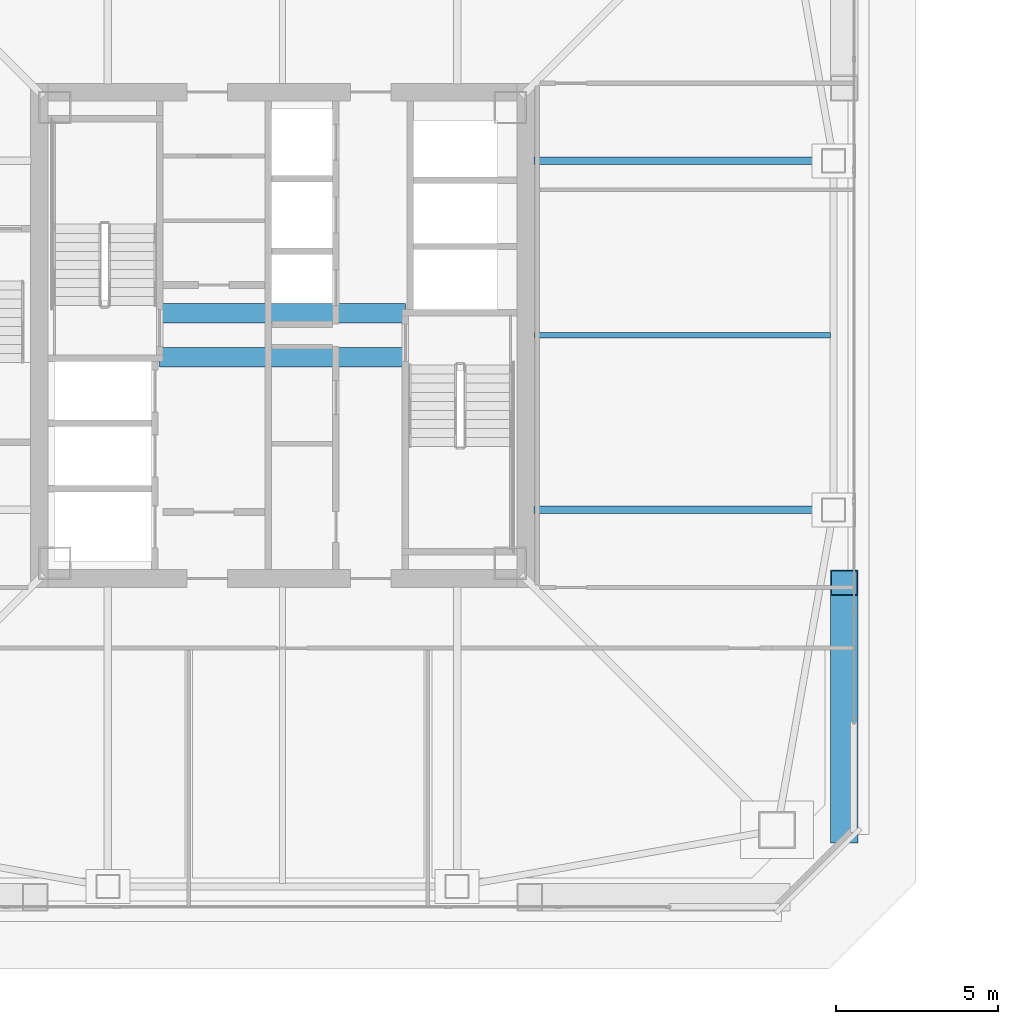
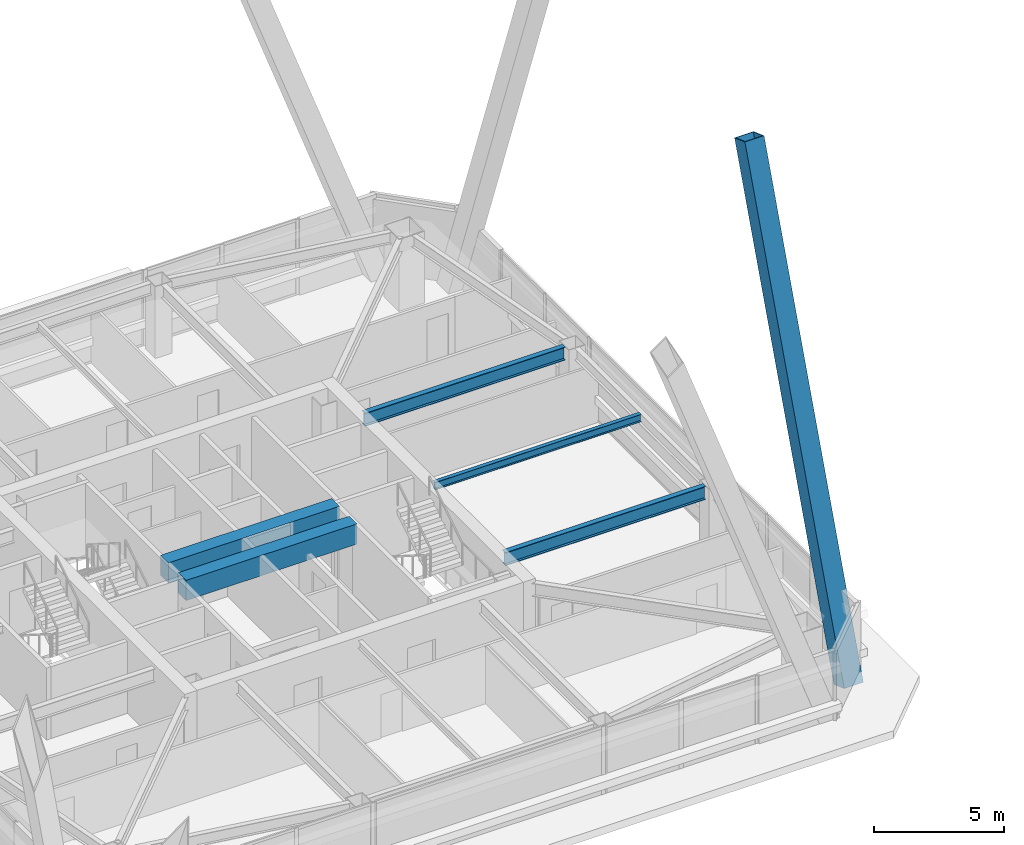
# One storey, part 14 of 65: 5 beams, 1 member.
"""IFC4 building model written with IfcOpenShell, lengths in metres."""

from ifc_helpers import new_model, si_unit, direction, frame, origin, origin_2d, place, context, subcontext, project, spatial, rectangle, hollow_rectangle, i_section, extrude, material, material_profile, profile_set, type_object, element, save


model = new_model("IFC4")

# Units and contexts
model_context = context("Model", 3, precision=1e-05, world=origin(), true_north=direction((0.0, 1.0)))
body_context = subcontext(model_context, "Body", "Model", "MODEL_VIEW")
ifc_project = project(units=[si_unit("LENGTHUNIT", "METRE"), si_unit("AREAUNIT", "SQUARE_METRE"), si_unit("VOLUMEUNIT", "CUBIC_METRE"), si_unit("PLANEANGLEUNIT", "RADIAN"), si_unit("MASSUNIT", "GRAM", prefix="KILO")], contexts=[model_context])

# Site, building, storey
site_placement = place(None, origin())
site = spatial("IfcSite", under=ifc_project, at=site_placement, CompositionType="ELEMENT")
building_placement = place(site_placement, origin())
building = spatial("IfcBuilding", under=site, at=building_placement, Name="Tashvorn Skyway Center", CompositionType="ELEMENT")
storey_placement = place(building_placement, frame((0.0, 0.0, 157.0)))
storey = spatial("IfcBuildingStorey", under=building, at=storey_placement, Name="L42", CompositionType="ELEMENT", Elevation=157.0)

# Beams
ifc_material_1 = material(Name="Steel ASTM A992 Grade 50", Category="steel")
ifc_material_profile_1 = material_profile(ifc_material_1, i_section(OverallWidth=0.22998046875, OverallDepth=0.616943359375, WebThickness=0.01318359375, FlangeThickness=0.022216796875, at=origin_2d()), Name="W24X94")
ifc_profile_set_1 = profile_set([ifc_material_profile_1], Name="Steel ASTM A992 Grade 50")
beam_type_1 = type_object("IfcBeamType", Name="BM-BEAM-W24X94", PredefinedType="BEAM", material=ifc_profile_set_1)
for number, where, z_axis, x_axis, name in (
    (1, (58.679931640625, 26.60009765625, 3.0615234375), (-1.0, 0.0, 0.0), (0.0, -1.0, 0.0), "Tower 1 L42 Primary Floor Girder FC-E1"),
    (2, (58.679931640625, 37.39990234375, 3.0615234375), (-1.0, 0.0, 0.0), (0.0, -1.0, 0.0), "Tower 1 L42 Primary Floor Girder FC-E2"),
):
    element("IfcBeam", number, at=place(storey_placement, frame(where, z_axis=z_axis, x_axis=x_axis)), inside=storey, type_object=beam_type_1, Name=name, PredefinedType="BEAM", context=body_context, shape_type="SweptSolid", body=[
        extrude(i_section(OverallWidth=0.22998046875, OverallDepth=0.616943359375, WebThickness=0.01318359375, FlangeThickness=0.022216796875, at=origin_2d()), origin(), (0.0, 0.0, 1.0), 8.89990234375),
    ])
ifc_material_profile_2 = material_profile(ifc_material_1, i_section(OverallWidth=0.1708984375, OverallDepth=0.35498046875, WebThickness=0.007080078125, FlangeThickness=0.01171875, at=origin_2d()), Name="W14X34")
ifc_profile_set_2 = profile_set([ifc_material_profile_2], Name="Steel ASTM A992 Grade 50")
beam_type_2 = type_object("IfcBeamType", Name="BM-JOIST-W14X34", PredefinedType="JOIST", material=ifc_profile_set_2)
beam_placement = place(storey_placement, frame((49.7900390625, 32.0, 3.1923828125), z_axis=(1.0, 0.0, 0.0), x_axis=(0.0, 1.0, 0.0)))
element("IfcBeam", 3, at=beam_placement, inside=storey, type_object=beam_type_2, Name="Tower 1 L42 Secondary Composite Joist JE", PredefinedType="JOIST", context=body_context, shape_type="SweptSolid", body=[
    extrude(i_section(OverallWidth=0.1708984375, OverallDepth=0.35498046875, WebThickness=0.007080078125, FlangeThickness=0.01171875, at=origin_2d()), origin(), (0.0, 0.0, 1.0), 9.162353515625),
])
ifc_material_2 = material(Name="Concrete C60/75", Category="concrete")
ifc_material_profile_3 = material_profile(ifc_material_2, rectangle(XDim=0.60009765625, YDim=0.949951171875, at=origin_2d()), Name="RCB600x950")
ifc_profile_set_3 = profile_set([ifc_material_profile_3], Name="Concrete C60/75")
beam_type_3 = type_object("IfcBeamType", Name="BM-LINTEL-RCB600x950", PredefinedType="LINTEL", material=ifc_profile_set_3)
for number, where, z_axis, x_axis, name in (
    (4, (38.199951171875, 32.679931640625, 2.89501953125), (1.0, 0.0, 0.0), (0.0, 1.0, 0.0), "Tower 1 L42 Core Coupling Beam CN"),
    (5, (38.199951171875, 31.320068359375, 2.89501953125), (1.0, 0.0, 0.0), (0.0, 1.0, 0.0), "Tower 1 L42 Core Coupling Beam CS"),
):
    element("IfcBeam", number, at=place(storey_placement, frame(where, z_axis=z_axis, x_axis=x_axis)), inside=storey, type_object=beam_type_3, Name=name, PredefinedType="LINTEL", context=body_context, shape_type="SweptSolid", body=[
        extrude(rectangle(XDim=0.60009765625, YDim=0.949951171875, at=origin_2d()), origin(), (0.0, 0.0, 1.0), 7.60009765625),
    ])

# Member
ifc_material_3 = material(Name="Steel ASTM A572 Grade 50", Category="steel")
ifc_material_profile_4 = material_profile(ifc_material_3, hollow_rectangle(XDim=0.85009765625, YDim=0.85009765625, WallThickness=0.034912109375, at=origin_2d()), Name="BOX850x850x35")
ifc_profile_set_4 = profile_set([ifc_material_profile_4], Name="Steel ASTM A572 Grade 50")
member_type = type_object("IfcMemberType", Name="MEM-MB-850", PredefinedType="BRACE", material=ifc_profile_set_4)
member_placement = place(storey_placement, frame((59.3798828125, 16.699951171875, -0.199951171875), z_axis=(0.0, 0.341568887038, 0.93985674196), x_axis=(-1.0, 0.0, 0.0)))
element("IfcMember", 6, at=member_placement, inside=storey, type_object=member_type, Name="Tower 1 Zone 4 E Chevron Mega-Brace L1", PredefinedType="BRACE", context=body_context, shape_type="SweptSolid", body=[
    extrude(hollow_rectangle(XDim=0.85009765625, YDim=0.85009765625, WallThickness=0.034912109375, at=origin_2d()), origin(), (0.0, 0.0, 1.0), 22.39697265625),
])

save(model, "model.ifc")
